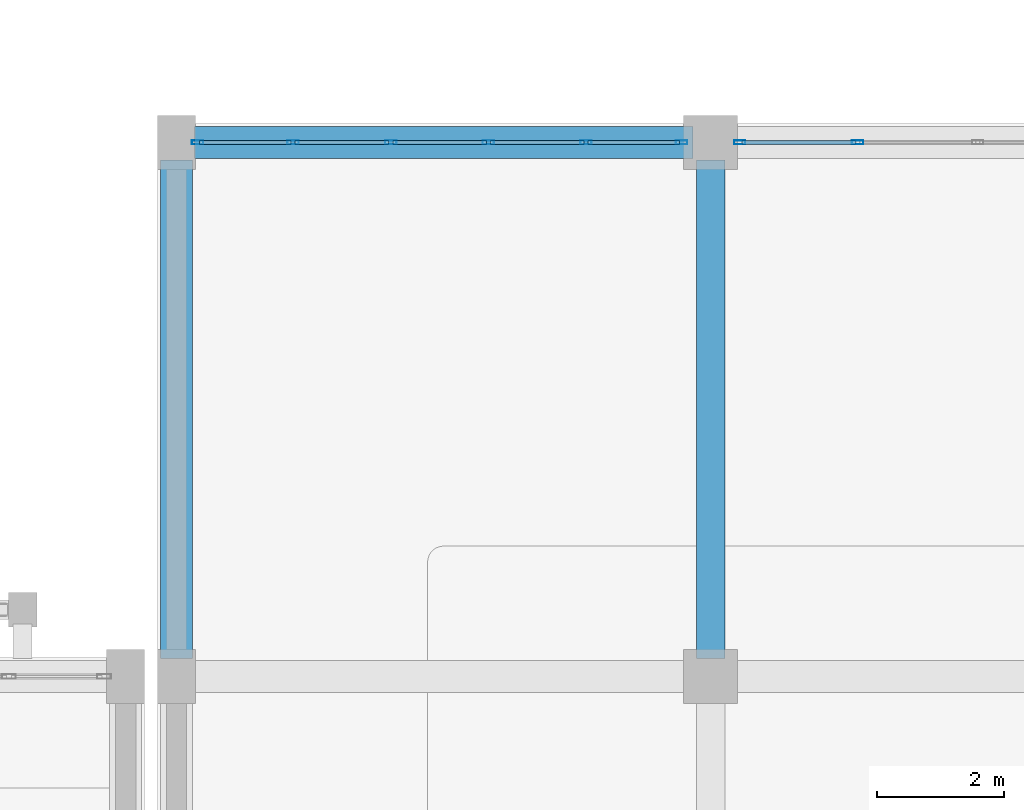
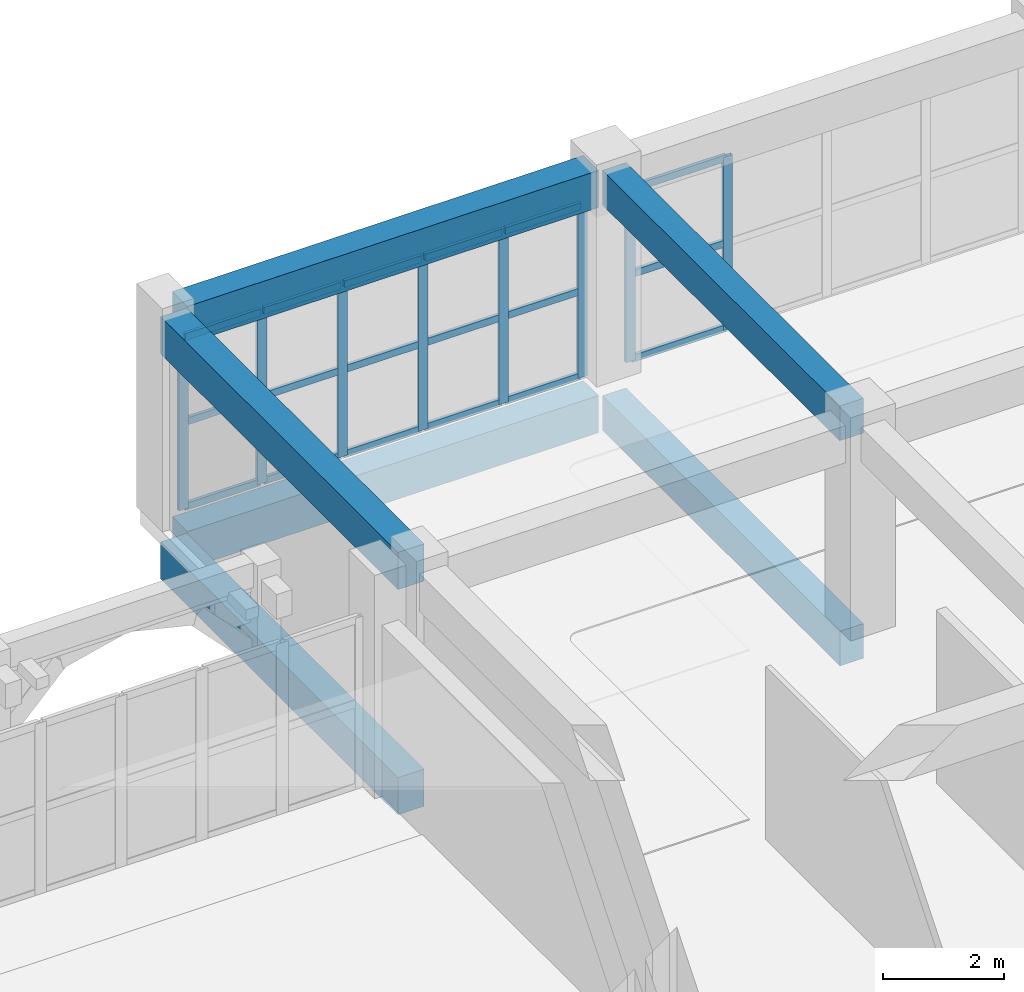
# One storey, part 64 of 129: 26 members, 6 beams, 2 elements without a shape of their own.
"""IFC4 building model written with IfcOpenShell, lengths in metres."""

from ifc_helpers import new_model, si_unit, direction, frame, origin, origin_2d, place, context, subcontext, project, spatial, rectangle, hollow_rectangle, extrude, material, layer, layer_set, material_profile, profile_set, type_object, element, aggregate, save


model = new_model("IFC4")

# Units and contexts
model_context = context("Model", 3, precision=1e-05, world=origin(), true_north=direction((0.0, 1.0)))
body_context = subcontext(model_context, "Body", "Model", "MODEL_VIEW")
ifc_project = project(units=[si_unit("LENGTHUNIT", "METRE"), si_unit("AREAUNIT", "SQUARE_METRE"), si_unit("VOLUMEUNIT", "CUBIC_METRE"), si_unit("PLANEANGLEUNIT", "RADIAN"), si_unit("MASSUNIT", "GRAM", prefix="KILO")], contexts=[model_context])

# Site, building, storey
site_placement = place(None, origin())
site = spatial("IfcSite", under=ifc_project, at=site_placement, CompositionType="ELEMENT")
building_placement = place(site_placement, origin())
building = spatial("IfcBuilding", under=site, at=building_placement, Name="Xazarin Passage Department Store", CompositionType="ELEMENT")
storey_placement = place(building_placement, frame((0.0, 0.0, 9.89990234375)))
storey = spatial("IfcBuildingStorey", under=building, at=storey_placement, Name="L02", CompositionType="ELEMENT", Elevation=9.89990234375)

# Curtain wall, members
ifc_material_1 = material(Name="Bronze anodised aluminium", Category="aluminium")
ifc_layer = layer(ifc_material_1, 0.169921875)
ifc_layer_set = layer_set([ifc_layer], Name="Bronze anodised aluminium")
curtain_wall_type = type_object("IfcCurtainWallType", Name="ARC-CW-ARC2", PredefinedType="NOTDEFINED", material=ifc_layer_set)
curtain_wall_1_placement = place(storey_placement, origin())
curtain_wall_1 = element("IfcCurtainWall", 1, at=curtain_wall_1_placement, inside=storey, type_object=curtain_wall_type, Name="L02 V2N Curtain Wall 114", PredefinedType="NOTDEFINED")
ifc_material_profile_1 = material_profile(ifc_material_1, hollow_rectangle(XDim=0.06494140625, YDim=0.179931640625, WallThickness=0.00390625, at=origin_2d()), Name="ALU 65x180")
ifc_profile_set_1 = profile_set([ifc_material_profile_1], Name="Bronze anodised aluminium")
member_type_1 = type_object("IfcMemberType", Name="ARC-CWM-65x180", PredefinedType="MULLION", material=ifc_profile_set_1)
member_1_placement = place(storey_placement, frame((68.33251953125, 93.199951171875, 0.0), z_axis=(0.0, 0.0, 1.0), x_axis=(0.0, 1.0, 0.0)))
member_1 = element("IfcMember", 2, at=member_1_placement, type_object=member_type_1, Name="CW4 mullion 1", PredefinedType="MULLION", context=body_context, shape_type="SweptSolid", body=[
    extrude(hollow_rectangle(XDim=0.06494140625, YDim=0.179931640625, WallThickness=0.00390625, at=origin_2d()), origin(), (0.0, 0.0, 1.0), 3.489990234375),
])
member_2_placement = place(storey_placement, frame((69.8349609375, 93.199951171875, 0.0), z_axis=(0.0, 0.0, 1.0), x_axis=(0.0, 1.0, 0.0)))
member_2 = element("IfcMember", 3, at=member_2_placement, type_object=member_type_1, Name="CW4 mullion 2", PredefinedType="MULLION", context=body_context, shape_type="SweptSolid", body=[
    extrude(hollow_rectangle(XDim=0.06494140625, YDim=0.179931640625, WallThickness=0.00390625, at=origin_2d()), origin(), (0.0, 0.0, 1.0), 3.489990234375),
])
member_3_placement = place(storey_placement, frame((71.3701171875, 93.199951171875, 0.0), z_axis=(0.0, 0.0, 1.0), x_axis=(0.0, 1.0, 0.0)))
member_3 = element("IfcMember", 4, at=member_3_placement, type_object=member_type_1, Name="CW4 mullion 3", PredefinedType="MULLION", context=body_context, shape_type="SweptSolid", body=[
    extrude(hollow_rectangle(XDim=0.06494140625, YDim=0.179931640625, WallThickness=0.00390625, at=origin_2d()), origin(), (0.0, 0.0, 1.0), 3.489990234375),
])
member_4_placement = place(storey_placement, frame((72.905029296875, 93.199951171875, 0.0), z_axis=(0.0, 0.0, 1.0), x_axis=(0.0, 1.0, 0.0)))
member_4 = element("IfcMember", 5, at=member_4_placement, type_object=member_type_1, Name="CW4 mullion 4", PredefinedType="MULLION", context=body_context, shape_type="SweptSolid", body=[
    extrude(hollow_rectangle(XDim=0.06494140625, YDim=0.179931640625, WallThickness=0.00390625, at=origin_2d()), origin(), (0.0, 0.0, 1.0), 3.489990234375),
])
member_5_placement = place(storey_placement, frame((74.43994140625, 93.199951171875, 0.0), z_axis=(0.0, 0.0, 1.0), x_axis=(0.0, 1.0, 0.0)))
member_5 = element("IfcMember", 6, at=member_5_placement, type_object=member_type_1, Name="CW4 mullion 5", PredefinedType="MULLION", context=body_context, shape_type="SweptSolid", body=[
    extrude(hollow_rectangle(XDim=0.06494140625, YDim=0.179931640625, WallThickness=0.00390625, at=origin_2d()), origin(), (0.0, 0.0, 1.0), 3.489990234375),
])
member_6_placement = place(storey_placement, frame((75.9423828125, 93.199951171875, 0.0), z_axis=(0.0, 0.0, 1.0), x_axis=(0.0, 1.0, 0.0)))
member_6 = element("IfcMember", 7, at=member_6_placement, type_object=member_type_1, Name="CW4 mullion 6", PredefinedType="MULLION", context=body_context, shape_type="SweptSolid", body=[
    extrude(hollow_rectangle(XDim=0.06494140625, YDim=0.179931640625, WallThickness=0.00390625, at=origin_2d()), origin(), (0.0, 0.0, 1.0), 3.489990234375),
])

curtain_wall_2_placement = place(storey_placement, origin())
curtain_wall_2 = element("IfcCurtainWall", 8, at=curtain_wall_2_placement, inside=storey, type_object=curtain_wall_type, Name="L02 V2N Curtain Wall 115", PredefinedType="NOTDEFINED")
member_7_placement = place(storey_placement, frame((76.857421875, 93.199951171875, 0.0), z_axis=(0.0, 0.0, 1.0), x_axis=(0.0, 1.0, 0.0)))
member_7 = element("IfcMember", 9, at=member_7_placement, type_object=member_type_1, Name="CW4 mullion 1", PredefinedType="MULLION", context=body_context, shape_type="SweptSolid", body=[
    extrude(hollow_rectangle(XDim=0.06494140625, YDim=0.179931640625, WallThickness=0.00390625, at=origin_2d()), origin(), (0.0, 0.0, 1.0), 3.489990234375),
])
member_8_placement = place(storey_placement, frame((78.71240234375, 93.199951171875, 0.0), z_axis=(0.0, 0.0, 1.0), x_axis=(0.0, 1.0, 0.0)))
member_8 = element("IfcMember", 10, at=member_8_placement, type_object=member_type_1, Name="CW4 mullion 2", PredefinedType="MULLION", context=body_context, shape_type="SweptSolid", body=[
    extrude(hollow_rectangle(XDim=0.06494140625, YDim=0.179931640625, WallThickness=0.00390625, at=origin_2d()), origin(), (0.0, 0.0, 1.0), 3.489990234375),
])

# Member
ifc_material_profile_2 = material_profile(ifc_material_1, hollow_rectangle(XDim=0.06494140625, YDim=0.139892578125, WallThickness=0.00390625, at=origin_2d()), Name="ALU 65x140")
ifc_profile_set_2 = profile_set([ifc_material_profile_2], Name="Bronze anodised aluminium")
member_type_2 = type_object("IfcMemberType", Name="ARC-CWT-65x140", PredefinedType="USERDEFINED", material=ifc_profile_set_2)
member_9_placement = place(storey_placement, frame((68.364990234375, 93.199951171875, 0.03271484375), z_axis=(1.0, 0.0, 0.0), x_axis=(0.0, 1.0, 0.0)))
member_9 = element("IfcMember", 11, at=member_9_placement, type_object=member_type_2, Name="CW4 transom 1.1", ObjectType="TRANSOM", PredefinedType="USERDEFINED", context=body_context, shape_type="SweptSolid", body=[
    extrude(hollow_rectangle(XDim=0.06494140625, YDim=0.139892578125, WallThickness=0.00390625, at=origin_2d()), origin(), (0.0, 0.0, 1.0), 1.4375),
])

member_10_placement = place(storey_placement, frame((68.364990234375, 93.199951171875, 1.7451171875), z_axis=(1.0, 0.0, 0.0), x_axis=(0.0, 1.0, 0.0)))
member_10 = element("IfcMember", 12, at=member_10_placement, type_object=member_type_2, Name="CW4 transom 1.2", ObjectType="TRANSOM", PredefinedType="USERDEFINED", context=body_context, shape_type="SweptSolid", body=[
    extrude(hollow_rectangle(XDim=0.06494140625, YDim=0.139892578125, WallThickness=0.00390625, at=origin_2d()), origin(), (0.0, 0.0, 1.0), 1.4375),
])

member_11_placement = place(storey_placement, frame((68.364990234375, 93.199951171875, 3.45751953125), z_axis=(1.0, 0.0, 0.0), x_axis=(0.0, 1.0, 0.0)))
member_11 = element("IfcMember", 13, at=member_11_placement, type_object=member_type_2, Name="CW4 transom 1.3", ObjectType="TRANSOM", PredefinedType="USERDEFINED", context=body_context, shape_type="SweptSolid", body=[
    extrude(hollow_rectangle(XDim=0.06494140625, YDim=0.139892578125, WallThickness=0.00390625, at=origin_2d()), origin(), (0.0, 0.0, 1.0), 1.4375),
])

member_12_placement = place(storey_placement, frame((69.867431640625, 93.199951171875, 0.03271484375), z_axis=(1.0, 0.0, 0.0), x_axis=(0.0, 1.0, 0.0)))
member_12 = element("IfcMember", 14, at=member_12_placement, type_object=member_type_2, Name="CW4 transom 2.1", ObjectType="TRANSOM", PredefinedType="USERDEFINED", context=body_context, shape_type="SweptSolid", body=[
    extrude(hollow_rectangle(XDim=0.06494140625, YDim=0.139892578125, WallThickness=0.00390625, at=origin_2d()), origin(), (0.0, 0.0, 1.0), 1.469970703125),
])

member_13_placement = place(storey_placement, frame((69.867431640625, 93.199951171875, 1.7451171875), z_axis=(1.0, 0.0, 0.0), x_axis=(0.0, 1.0, 0.0)))
member_13 = element("IfcMember", 15, at=member_13_placement, type_object=member_type_2, Name="CW4 transom 2.2", ObjectType="TRANSOM", PredefinedType="USERDEFINED", context=body_context, shape_type="SweptSolid", body=[
    extrude(hollow_rectangle(XDim=0.06494140625, YDim=0.139892578125, WallThickness=0.00390625, at=origin_2d()), origin(), (0.0, 0.0, 1.0), 1.469970703125),
])

member_14_placement = place(storey_placement, frame((69.867431640625, 93.199951171875, 3.45751953125), z_axis=(1.0, 0.0, 0.0), x_axis=(0.0, 1.0, 0.0)))
member_14 = element("IfcMember", 16, at=member_14_placement, type_object=member_type_2, Name="CW4 transom 2.3", ObjectType="TRANSOM", PredefinedType="USERDEFINED", context=body_context, shape_type="SweptSolid", body=[
    extrude(hollow_rectangle(XDim=0.06494140625, YDim=0.139892578125, WallThickness=0.00390625, at=origin_2d()), origin(), (0.0, 0.0, 1.0), 1.469970703125),
])

member_15_placement = place(storey_placement, frame((71.402587890625, 93.199951171875, 0.03271484375), z_axis=(1.0, 0.0, 0.0), x_axis=(0.0, 1.0, 0.0)))
member_15 = element("IfcMember", 17, at=member_15_placement, type_object=member_type_2, Name="CW4 transom 3.1", ObjectType="TRANSOM", PredefinedType="USERDEFINED", context=body_context, shape_type="SweptSolid", body=[
    extrude(hollow_rectangle(XDim=0.06494140625, YDim=0.139892578125, WallThickness=0.00390625, at=origin_2d()), origin(), (0.0, 0.0, 1.0), 1.469970703125),
])

member_16_placement = place(storey_placement, frame((71.402587890625, 93.199951171875, 1.7451171875), z_axis=(1.0, 0.0, 0.0), x_axis=(0.0, 1.0, 0.0)))
member_16 = element("IfcMember", 18, at=member_16_placement, type_object=member_type_2, Name="CW4 transom 3.2", ObjectType="TRANSOM", PredefinedType="USERDEFINED", context=body_context, shape_type="SweptSolid", body=[
    extrude(hollow_rectangle(XDim=0.06494140625, YDim=0.139892578125, WallThickness=0.00390625, at=origin_2d()), origin(), (0.0, 0.0, 1.0), 1.469970703125),
])

member_17_placement = place(storey_placement, frame((71.402587890625, 93.199951171875, 3.45751953125), z_axis=(1.0, 0.0, 0.0), x_axis=(0.0, 1.0, 0.0)))
member_17 = element("IfcMember", 19, at=member_17_placement, type_object=member_type_2, Name="CW4 transom 3.3", ObjectType="TRANSOM", PredefinedType="USERDEFINED", context=body_context, shape_type="SweptSolid", body=[
    extrude(hollow_rectangle(XDim=0.06494140625, YDim=0.139892578125, WallThickness=0.00390625, at=origin_2d()), origin(), (0.0, 0.0, 1.0), 1.469970703125),
])

member_18_placement = place(storey_placement, frame((72.9375, 93.199951171875, 0.03271484375), z_axis=(1.0, 0.0, 0.0), x_axis=(0.0, 1.0, 0.0)))
member_18 = element("IfcMember", 20, at=member_18_placement, type_object=member_type_2, Name="CW4 transom 4.1", ObjectType="TRANSOM", PredefinedType="USERDEFINED", context=body_context, shape_type="SweptSolid", body=[
    extrude(hollow_rectangle(XDim=0.06494140625, YDim=0.139892578125, WallThickness=0.00390625, at=origin_2d()), origin(), (0.0, 0.0, 1.0), 1.469970703125),
])

member_19_placement = place(storey_placement, frame((72.9375, 93.199951171875, 1.7451171875), z_axis=(1.0, 0.0, 0.0), x_axis=(0.0, 1.0, 0.0)))
member_19 = element("IfcMember", 21, at=member_19_placement, type_object=member_type_2, Name="CW4 transom 4.2", ObjectType="TRANSOM", PredefinedType="USERDEFINED", context=body_context, shape_type="SweptSolid", body=[
    extrude(hollow_rectangle(XDim=0.06494140625, YDim=0.139892578125, WallThickness=0.00390625, at=origin_2d()), origin(), (0.0, 0.0, 1.0), 1.469970703125),
])

member_20_placement = place(storey_placement, frame((72.9375, 93.199951171875, 3.45751953125), z_axis=(1.0, 0.0, 0.0), x_axis=(0.0, 1.0, 0.0)))
member_20 = element("IfcMember", 22, at=member_20_placement, type_object=member_type_2, Name="CW4 transom 4.3", ObjectType="TRANSOM", PredefinedType="USERDEFINED", context=body_context, shape_type="SweptSolid", body=[
    extrude(hollow_rectangle(XDim=0.06494140625, YDim=0.139892578125, WallThickness=0.00390625, at=origin_2d()), origin(), (0.0, 0.0, 1.0), 1.469970703125),
])

member_21_placement = place(storey_placement, frame((74.472412109375, 93.199951171875, 0.03271484375), z_axis=(1.0, 0.0, 0.0), x_axis=(0.0, 1.0, 0.0)))
member_21 = element("IfcMember", 23, at=member_21_placement, type_object=member_type_2, Name="CW4 transom 5.1", ObjectType="TRANSOM", PredefinedType="USERDEFINED", context=body_context, shape_type="SweptSolid", body=[
    extrude(hollow_rectangle(XDim=0.06494140625, YDim=0.139892578125, WallThickness=0.00390625, at=origin_2d()), origin(), (0.0, 0.0, 1.0), 1.4375),
])

member_22_placement = place(storey_placement, frame((74.472412109375, 93.199951171875, 1.7451171875), z_axis=(1.0, 0.0, 0.0), x_axis=(0.0, 1.0, 0.0)))
member_22 = element("IfcMember", 24, at=member_22_placement, type_object=member_type_2, Name="CW4 transom 5.2", ObjectType="TRANSOM", PredefinedType="USERDEFINED", context=body_context, shape_type="SweptSolid", body=[
    extrude(hollow_rectangle(XDim=0.06494140625, YDim=0.139892578125, WallThickness=0.00390625, at=origin_2d()), origin(), (0.0, 0.0, 1.0), 1.4375),
])

member_23_placement = place(storey_placement, frame((74.472412109375, 93.199951171875, 3.45751953125), z_axis=(1.0, 0.0, 0.0), x_axis=(0.0, 1.0, 0.0)))
member_23 = element("IfcMember", 25, at=member_23_placement, type_object=member_type_2, Name="CW4 transom 5.3", ObjectType="TRANSOM", PredefinedType="USERDEFINED", context=body_context, shape_type="SweptSolid", body=[
    extrude(hollow_rectangle(XDim=0.06494140625, YDim=0.139892578125, WallThickness=0.00390625, at=origin_2d()), origin(), (0.0, 0.0, 1.0), 1.4375),
])

aggregate(curtain_wall_1, [member_1, member_2, member_3, member_4, member_5, member_6, member_9, member_10, member_11, member_12, member_13, member_14, member_15, member_16, member_17, member_18, member_19, member_20, member_21, member_22, member_23])

member_24_placement = place(storey_placement, frame((76.889892578125, 93.199951171875, 0.03271484375), z_axis=(1.0, 0.0, 0.0), x_axis=(0.0, 1.0, 0.0)))
member_24 = element("IfcMember", 26, at=member_24_placement, type_object=member_type_2, Name="CW4 transom 1.1", ObjectType="TRANSOM", PredefinedType="USERDEFINED", context=body_context, shape_type="SweptSolid", body=[
    extrude(hollow_rectangle(XDim=0.06494140625, YDim=0.139892578125, WallThickness=0.00390625, at=origin_2d()), origin(), (0.0, 0.0, 1.0), 1.7900390625),
])

member_25_placement = place(storey_placement, frame((76.889892578125, 93.199951171875, 1.7451171875), z_axis=(1.0, 0.0, 0.0), x_axis=(0.0, 1.0, 0.0)))
member_25 = element("IfcMember", 27, at=member_25_placement, type_object=member_type_2, Name="CW4 transom 1.2", ObjectType="TRANSOM", PredefinedType="USERDEFINED", context=body_context, shape_type="SweptSolid", body=[
    extrude(hollow_rectangle(XDim=0.06494140625, YDim=0.139892578125, WallThickness=0.00390625, at=origin_2d()), origin(), (0.0, 0.0, 1.0), 1.7900390625),
])

member_26_placement = place(storey_placement, frame((76.889892578125, 93.199951171875, 3.45751953125), z_axis=(1.0, 0.0, 0.0), x_axis=(0.0, 1.0, 0.0)))
member_26 = element("IfcMember", 28, at=member_26_placement, type_object=member_type_2, Name="CW4 transom 1.3", ObjectType="TRANSOM", PredefinedType="USERDEFINED", context=body_context, shape_type="SweptSolid", body=[
    extrude(hollow_rectangle(XDim=0.06494140625, YDim=0.139892578125, WallThickness=0.00390625, at=origin_2d()), origin(), (0.0, 0.0, 1.0), 1.7900390625),
])

aggregate(curtain_wall_2, [member_7, member_8, member_24, member_25, member_26])

# Beams
ifc_material_2 = material(Name="Concrete C35/45", Category="concrete")
ifc_material_profile_3 = material_profile(ifc_material_2, rectangle(XDim=0.449951171875, YDim=0.699951171875, at=origin_2d()), Name="RC 450x700")
ifc_profile_set_3 = profile_set([ifc_material_profile_3], Name="Concrete C35/45")
beam_type_1 = type_object("IfcBeamType", Name="STR-BM-G450x700", PredefinedType="BEAM", material=ifc_profile_set_3)
for number, where, z_axis, x_axis, name in (
    (29, (76.39990234375, 85.080078125, -0.64990234375), (0.0, 1.0, 0.0), (-1.0, 0.0, 0.0), "L02 Grid Beam 11/M-N"),
    (30, (76.39990234375, 85.080078125, 3.89013671875), (0.0, 1.0, 0.0), (-1.0, 0.0, 0.0), "L02 Grid Beam 11/M-N"),
):
    element("IfcBeam", number, at=place(storey_placement, frame(where, z_axis=z_axis, x_axis=x_axis)), inside=storey, type_object=beam_type_1, Name=name, PredefinedType="BEAM", context=body_context, shape_type="SweptSolid", body=[
        extrude(rectangle(XDim=0.449951171875, YDim=0.699951171875, at=origin_2d()), origin(), (0.0, 0.0, 1.0), 7.83984375),
    ])
ifc_material_profile_4 = material_profile(ifc_material_2, rectangle(XDim=0.5, YDim=0.75, at=origin_2d()), Name="RC 500x750")
ifc_profile_set_4 = profile_set([ifc_material_profile_4], Name="Concrete C35/45")
beam_type_2 = type_object("IfcBeamType", Name="STR-BM-SP500x750", PredefinedType="SPANDREL", material=ifc_profile_set_4)
beam_1_placement = place(storey_placement, frame((68.280029296875, 93.199951171875, -0.6748046875), z_axis=(1.0, 0.0, 0.0), x_axis=(0.0, 1.0, 0.0)))
element("IfcBeam", 31, at=beam_1_placement, inside=storey, type_object=beam_type_2, Name="L02 Grid Beam N/10-11", PredefinedType="SPANDREL", context=body_context, shape_type="SweptSolid", body=[
    extrude(rectangle(XDim=0.5, YDim=0.75, at=origin_2d()), origin(), (0.0, 0.0, 1.0), 7.840087890625),
])
beam_2_placement = place(storey_placement, frame((68.0, 85.080078125, -0.6748046875), z_axis=(0.0, 1.0, 0.0), x_axis=(-1.0, 0.0, 0.0)))
element("IfcBeam", 32, at=beam_2_placement, inside=storey, type_object=beam_type_2, Name="L02 Grid Beam 10/M-N", PredefinedType="SPANDREL", context=body_context, shape_type="SweptSolid", body=[
    extrude(rectangle(XDim=0.5, YDim=0.75, at=origin_2d()), origin(), (0.0, 0.0, 1.0), 7.83984375),
])
beam_3_placement = place(storey_placement, frame((68.280029296875, 93.199951171875, 3.864990234375), z_axis=(1.0, 0.0, 0.0), x_axis=(0.0, 1.0, 0.0)))
element("IfcBeam", 33, at=beam_3_placement, inside=storey, type_object=beam_type_2, Name="L02 Grid Beam N/10-11", PredefinedType="SPANDREL", context=body_context, shape_type="SweptSolid", body=[
    extrude(rectangle(XDim=0.5, YDim=0.75, at=origin_2d()), origin(), (0.0, 0.0, 1.0), 7.840087890625),
])
beam_4_placement = place(storey_placement, frame((68.0, 85.080078125, 3.864990234375), z_axis=(0.0, 1.0, 0.0), x_axis=(-1.0, 0.0, 0.0)))
element("IfcBeam", 34, at=beam_4_placement, inside=storey, type_object=beam_type_2, Name="L02 Grid Beam 10/M-N", PredefinedType="SPANDREL", context=body_context, shape_type="SweptSolid", body=[
    extrude(rectangle(XDim=0.5, YDim=0.75, at=origin_2d()), origin(), (0.0, 0.0, 1.0), 7.83984375),
])

save(model, "model.ifc")
